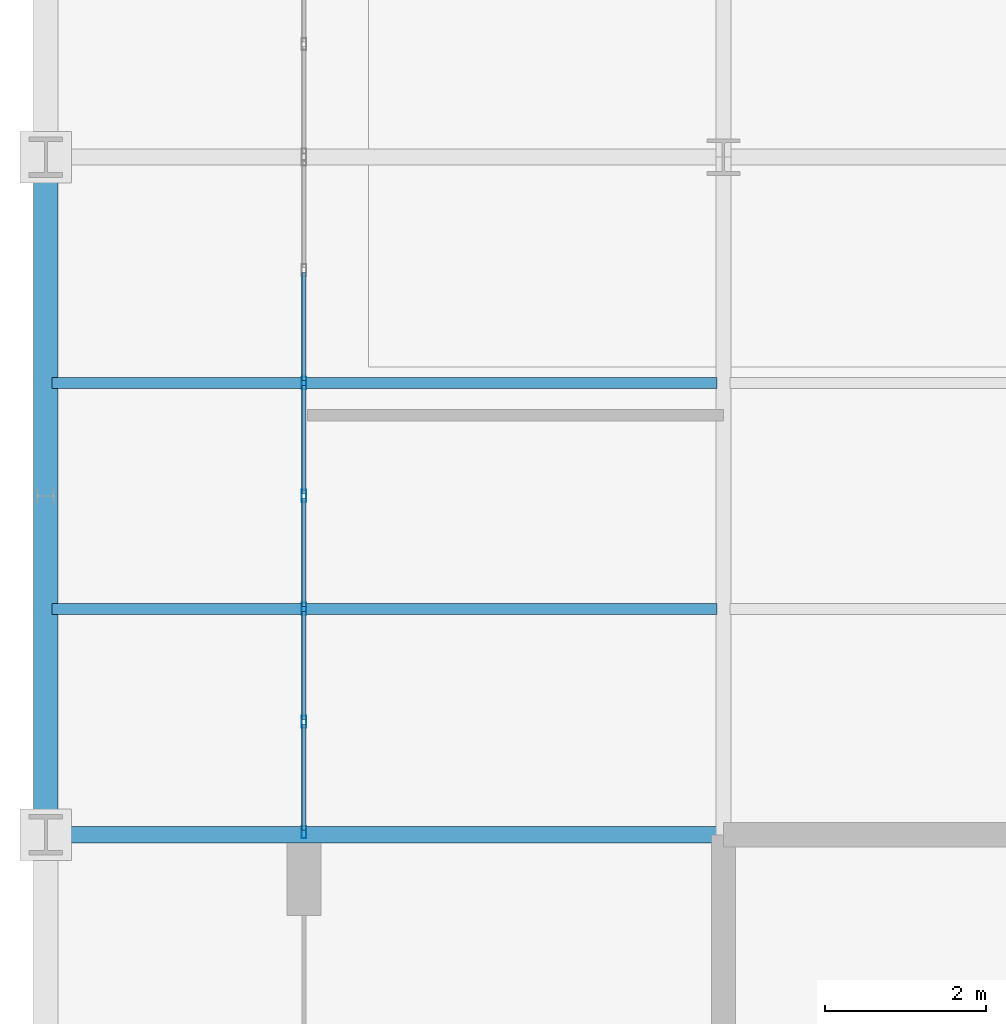
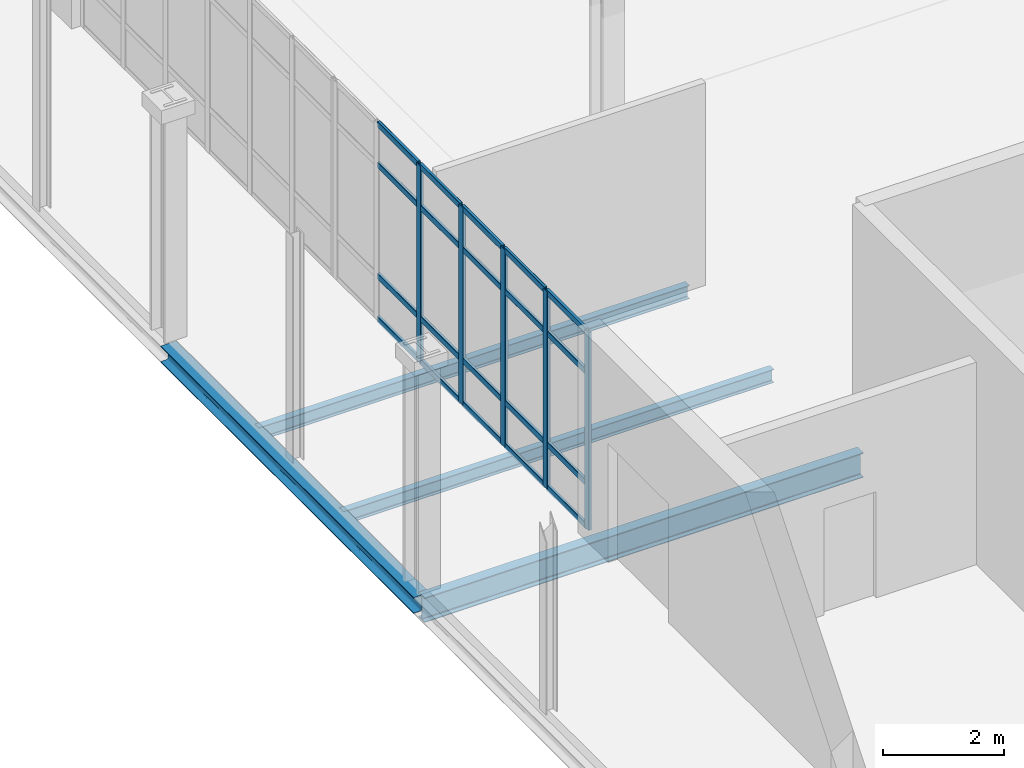
# One storey, part 25 of 145: 25 members, 4 beams, 1 element without a shape of its own.
"""IFC4 building model written with IfcOpenShell, lengths in metres."""

from ifc_helpers import new_model, si_unit, direction, frame, origin, origin_2d, place, context, subcontext, project, spatial, hollow_rectangle, i_section, extrude, material, layer, layer_set, material_profile, profile_set, type_object, element, aggregate, save


model = new_model("IFC4")

# Units and contexts
model_context = context("Model", 3, precision=1e-05, world=origin(), true_north=direction((0.0, 1.0)))
body_context = subcontext(model_context, "Body", "Model", "MODEL_VIEW")
ifc_project = project(units=[si_unit("LENGTHUNIT", "METRE"), si_unit("AREAUNIT", "SQUARE_METRE"), si_unit("VOLUMEUNIT", "CUBIC_METRE"), si_unit("PLANEANGLEUNIT", "RADIAN"), si_unit("MASSUNIT", "GRAM", prefix="KILO")], contexts=[model_context])

# Site, building, storey
site_placement = place(None, origin())
site = spatial("IfcSite", under=ifc_project, at=site_placement, CompositionType="ELEMENT")
building_placement = place(site_placement, origin())
building = spatial("IfcBuilding", under=site, at=building_placement, Name="Qalvenar Corner Mobility Hub", CompositionType="ELEMENT")
storey_placement = place(building_placement, origin())
storey = spatial("IfcBuildingStorey", under=building, at=storey_placement, Name="L00", CompositionType="ELEMENT", Elevation=0.0)

# Beams
ifc_material_1 = material(Name="Steel S355", Category="steel")
ifc_material_profile_1 = material_profile(ifc_material_1, i_section(OverallWidth=0.199951171875, OverallDepth=0.5, WebThickness=0.01025390625, FlangeThickness=0.01611328125, FilletRadius=0.02099609375, at=origin_2d()), Name="IPE500")
ifc_profile_set_1 = profile_set([ifc_material_profile_1], Name="Steel S355")
beam_type_1 = type_object("IfcBeamType", Name="BM-IPE500", PredefinedType="BEAM", material=ifc_profile_set_1)
beam_1_placement = place(storey_placement, frame((0.0, 16.800048828125, -0.469970703125), z_axis=(1.0, 0.0, 0.0), x_axis=(0.0, 1.0, 0.0)))
element("IfcBeam", 1, at=beam_1_placement, inside=storey, type_object=beam_type_1, Name="Primary Steel Girder GX-0013", PredefinedType="BEAM", context=body_context, shape_type="SweptSolid", body=[
    extrude(i_section(OverallWidth=0.199951171875, OverallDepth=0.5, WebThickness=0.01025390625, FlangeThickness=0.01611328125, FilletRadius=0.02099609375, at=origin_2d()), origin(), (0.0, 0.0, 1.0), 8.39990234375),
])
ifc_material_profile_2 = material_profile(ifc_material_1, i_section(OverallWidth=0.135009765625, OverallDepth=0.27001953125, WebThickness=0.006591796875, FlangeThickness=0.01025390625, FilletRadius=0.014892578125, at=origin_2d()), Name="IPE270")
ifc_profile_set_2 = profile_set([ifc_material_profile_2], Name="Steel S355")
beam_type_2 = type_object("IfcBeamType", Name="BM-JST270", PredefinedType="JOIST", material=ifc_profile_set_2)
for number, where, z_axis, x_axis, name in (
    (2, (0.077880859375, 19.60009765625, -0.35498046875), (1.0, 0.0, 0.0), (0.0, 1.0, 0.0), "Composite Floor Joist J-0077"),
    (3, (0.077880859375, 22.39990234375, -0.35498046875), (1.0, 0.0, 0.0), (0.0, 1.0, 0.0), "Composite Floor Joist J-0078"),
):
    element("IfcBeam", number, at=place(storey_placement, frame(where, z_axis=z_axis, x_axis=x_axis)), inside=storey, type_object=beam_type_2, Name=name, PredefinedType="JOIST", context=body_context, shape_type="SweptSolid", body=[
        extrude(i_section(OverallWidth=0.135009765625, OverallDepth=0.27001953125, WebThickness=0.006591796875, FlangeThickness=0.01025390625, FilletRadius=0.014892578125, at=origin_2d()), origin(), (0.0, 0.0, 1.0), 8.244140625),
    ])
ifc_material_profile_3 = material_profile(ifc_material_1, i_section(OverallWidth=0.300048828125, OverallDepth=0.330078125, WebThickness=0.009521484375, FlangeThickness=0.0166015625, FilletRadius=0.027099609375, at=origin_2d()), Name="HEA340")
ifc_profile_set_3 = profile_set([ifc_material_profile_3], Name="Steel S355")
beam_type_3 = type_object("IfcBeamType", Name="BM-SPN340", PredefinedType="SPANDREL", material=ifc_profile_set_3)
beam_2_placement = place(storey_placement, frame((0.0, 16.800048828125, -0.385009765625), z_axis=(0.0, 1.0, 0.0), x_axis=(-1.0, 0.0, 0.0)))
element("IfcBeam", 4, at=beam_2_placement, inside=storey, type_object=beam_type_3, Name="Primary Steel Girder GY-0039", PredefinedType="SPANDREL", context=body_context, shape_type="SweptSolid", body=[
    extrude(i_section(OverallWidth=0.300048828125, OverallDepth=0.330078125, WebThickness=0.009521484375, FlangeThickness=0.0166015625, FilletRadius=0.027099609375, at=origin_2d()), origin(), (0.0, 0.0, 1.0), 8.39990234375),
])

# Curtain wall, members
ifc_material_2 = material(Name="Anodised Aluminium and Low-E Glazing", Category="aluminium")
ifc_layer = layer(ifc_material_2, 0.14990234375)
ifc_layer_set = layer_set([ifc_layer], Name="Anodised Aluminium and Low-E Glazing")
curtain_wall_type = type_object("IfcCurtainWallType", Name="CW-CIV-84X40", PredefinedType="NOTDEFINED", material=ifc_layer_set)
curtain_wall_placement = place(storey_placement, origin())
curtain_wall = element("IfcCurtainWall", 5, at=curtain_wall_placement, inside=storey, type_object=curtain_wall_type, Name="Glazed Curtain Wall CW-V3-L00-W003", PredefinedType="NOTDEFINED")
ifc_material_3 = material(Name="Anodised Aluminium 6063-T6", Category="aluminium")
ifc_material_profile_4 = material_profile(ifc_material_3, hollow_rectangle(XDim=0.06005859375, YDim=0.14990234375, WallThickness=0.00390625, InnerFilletRadius=0.00390625, OuterFilletRadius=0.008056640625, at=origin_2d()), Name="RHS150x60x4")
ifc_profile_set_4 = profile_set([ifc_material_profile_4], Name="Anodised Aluminium 6063-T6")
member_type_1 = type_object("IfcMemberType", Name="CW-MUL150", PredefinedType="MULLION", material=ifc_profile_set_4)
member_1_placement = place(storey_placement, frame((3.199951171875, 22.39990234375, 0.0), z_axis=(0.0, 0.0, 1.0), x_axis=(1.0, 0.0, 0.0)))
member_1 = element("IfcMember", 6, at=member_1_placement, type_object=member_type_1, Name="CW-05 mullion 3", PredefinedType="MULLION", context=body_context, shape_type="SweptSolid", body=[
    extrude(hollow_rectangle(XDim=0.06005859375, YDim=0.14990234375, WallThickness=0.00390625, InnerFilletRadius=0.00390625, OuterFilletRadius=0.008056640625, at=origin_2d()), origin(), (0.0, 0.0, 1.0), 4.0),
])
member_2_placement = place(storey_placement, frame((3.199951171875, 21.0, 0.0), z_axis=(0.0, 0.0, 1.0), x_axis=(1.0, 0.0, 0.0)))
member_2 = element("IfcMember", 7, at=member_2_placement, type_object=member_type_1, Name="CW-05 mullion 4", PredefinedType="MULLION", context=body_context, shape_type="SweptSolid", body=[
    extrude(hollow_rectangle(XDim=0.06005859375, YDim=0.14990234375, WallThickness=0.00390625, InnerFilletRadius=0.00390625, OuterFilletRadius=0.008056640625, at=origin_2d()), origin(), (0.0, 0.0, 1.0), 4.0),
])
member_3_placement = place(storey_placement, frame((3.199951171875, 19.60009765625, 0.0), z_axis=(0.0, 0.0, 1.0), x_axis=(1.0, 0.0, 0.0)))
member_3 = element("IfcMember", 8, at=member_3_placement, type_object=member_type_1, Name="CW-05 mullion 5", PredefinedType="MULLION", context=body_context, shape_type="SweptSolid", body=[
    extrude(hollow_rectangle(XDim=0.06005859375, YDim=0.14990234375, WallThickness=0.00390625, InnerFilletRadius=0.00390625, OuterFilletRadius=0.008056640625, at=origin_2d()), origin(), (0.0, 0.0, 1.0), 4.0),
])
member_4_placement = place(storey_placement, frame((3.199951171875, 18.199951171875, 0.0), z_axis=(0.0, 0.0, 1.0), x_axis=(1.0, 0.0, 0.0)))
member_4 = element("IfcMember", 9, at=member_4_placement, type_object=member_type_1, Name="CW-05 mullion 6", PredefinedType="MULLION", context=body_context, shape_type="SweptSolid", body=[
    extrude(hollow_rectangle(XDim=0.06005859375, YDim=0.14990234375, WallThickness=0.00390625, InnerFilletRadius=0.00390625, OuterFilletRadius=0.008056640625, at=origin_2d()), origin(), (0.0, 0.0, 1.0), 4.0),
])
member_5_placement = place(storey_placement, frame((3.199951171875, 16.830078125, 0.0), z_axis=(0.0, 0.0, 1.0), x_axis=(1.0, 0.0, 0.0)))
member_5 = element("IfcMember", 10, at=member_5_placement, type_object=member_type_1, Name="CW-05 mullion 7", PredefinedType="MULLION", context=body_context, shape_type="SweptSolid", body=[
    extrude(hollow_rectangle(XDim=0.06005859375, YDim=0.14990234375, WallThickness=0.00390625, InnerFilletRadius=0.00390625, OuterFilletRadius=0.008056640625, at=origin_2d()), origin(), (0.0, 0.0, 1.0), 4.0),
])
ifc_material_profile_5 = material_profile(ifc_material_3, hollow_rectangle(XDim=0.054931640625, YDim=0.1201171875, WallThickness=0.00341796875, InnerFilletRadius=0.00341796875, OuterFilletRadius=0.007080078125, at=origin_2d()), Name="RHS120x55x3.5")
ifc_profile_set_5 = profile_set([ifc_material_profile_5], Name="Anodised Aluminium 6063-T6")
member_type_2 = type_object("IfcMemberType", Name="CW-TRN120", PredefinedType="USERDEFINED", material=ifc_profile_set_5)
member_6_placement = place(storey_placement, frame((3.199951171875, 23.77001953125, 0.027587890625), z_axis=(0.0, -1.0, 0.0), x_axis=(1.0, 0.0, 0.0)))
member_6 = element("IfcMember", 11, at=member_6_placement, type_object=member_type_2, Name="CW-05 transom 2.1", ObjectType="TRANSOM", PredefinedType="USERDEFINED", context=body_context, shape_type="SweptSolid", body=[
    extrude(hollow_rectangle(XDim=0.054931640625, YDim=0.1201171875, WallThickness=0.00341796875, InnerFilletRadius=0.00341796875, OuterFilletRadius=0.007080078125, at=origin_2d()), origin(), (0.0, 0.0, 1.0), 1.340087890625),
])
member_7_placement = place(storey_placement, frame((3.199951171875, 23.77001953125, 0.89990234375), z_axis=(0.0, -1.0, 0.0), x_axis=(1.0, 0.0, 0.0)))
member_7 = element("IfcMember", 12, at=member_7_placement, type_object=member_type_2, Name="CW-05 transom 2.2", ObjectType="TRANSOM", PredefinedType="USERDEFINED", context=body_context, shape_type="SweptSolid", body=[
    extrude(hollow_rectangle(XDim=0.054931640625, YDim=0.1201171875, WallThickness=0.00341796875, InnerFilletRadius=0.00341796875, OuterFilletRadius=0.007080078125, at=origin_2d()), origin(), (0.0, 0.0, 1.0), 1.340087890625),
])
member_8_placement = place(storey_placement, frame((3.199951171875, 23.77001953125, 3.14990234375), z_axis=(0.0, -1.0, 0.0), x_axis=(1.0, 0.0, 0.0)))
member_8 = element("IfcMember", 13, at=member_8_placement, type_object=member_type_2, Name="CW-05 transom 2.3", ObjectType="TRANSOM", PredefinedType="USERDEFINED", context=body_context, shape_type="SweptSolid", body=[
    extrude(hollow_rectangle(XDim=0.054931640625, YDim=0.1201171875, WallThickness=0.00341796875, InnerFilletRadius=0.00341796875, OuterFilletRadius=0.007080078125, at=origin_2d()), origin(), (0.0, 0.0, 1.0), 1.340087890625),
])
member_9_placement = place(storey_placement, frame((3.199951171875, 23.77001953125, 3.972412109375), z_axis=(0.0, -1.0, 0.0), x_axis=(1.0, 0.0, 0.0)))
member_9 = element("IfcMember", 14, at=member_9_placement, type_object=member_type_2, Name="CW-05 transom 2.4", ObjectType="TRANSOM", PredefinedType="USERDEFINED", context=body_context, shape_type="SweptSolid", body=[
    extrude(hollow_rectangle(XDim=0.054931640625, YDim=0.1201171875, WallThickness=0.00341796875, InnerFilletRadius=0.00341796875, OuterFilletRadius=0.007080078125, at=origin_2d()), origin(), (0.0, 0.0, 1.0), 1.340087890625),
])
member_10_placement = place(storey_placement, frame((3.199951171875, 22.3701171875, 0.027587890625), z_axis=(0.0, -1.0, 0.0), x_axis=(1.0, 0.0, 0.0)))
member_10 = element("IfcMember", 15, at=member_10_placement, type_object=member_type_2, Name="CW-05 transom 3.1", ObjectType="TRANSOM", PredefinedType="USERDEFINED", context=body_context, shape_type="SweptSolid", body=[
    extrude(hollow_rectangle(XDim=0.054931640625, YDim=0.1201171875, WallThickness=0.00341796875, InnerFilletRadius=0.00341796875, OuterFilletRadius=0.007080078125, at=origin_2d()), origin(), (0.0, 0.0, 1.0), 1.340087890625),
])
member_11_placement = place(storey_placement, frame((3.199951171875, 22.3701171875, 0.89990234375), z_axis=(0.0, -1.0, 0.0), x_axis=(1.0, 0.0, 0.0)))
member_11 = element("IfcMember", 16, at=member_11_placement, type_object=member_type_2, Name="CW-05 transom 3.2", ObjectType="TRANSOM", PredefinedType="USERDEFINED", context=body_context, shape_type="SweptSolid", body=[
    extrude(hollow_rectangle(XDim=0.054931640625, YDim=0.1201171875, WallThickness=0.00341796875, InnerFilletRadius=0.00341796875, OuterFilletRadius=0.007080078125, at=origin_2d()), origin(), (0.0, 0.0, 1.0), 1.340087890625),
])
member_12_placement = place(storey_placement, frame((3.199951171875, 22.3701171875, 3.14990234375), z_axis=(0.0, -1.0, 0.0), x_axis=(1.0, 0.0, 0.0)))
member_12 = element("IfcMember", 17, at=member_12_placement, type_object=member_type_2, Name="CW-05 transom 3.3", ObjectType="TRANSOM", PredefinedType="USERDEFINED", context=body_context, shape_type="SweptSolid", body=[
    extrude(hollow_rectangle(XDim=0.054931640625, YDim=0.1201171875, WallThickness=0.00341796875, InnerFilletRadius=0.00341796875, OuterFilletRadius=0.007080078125, at=origin_2d()), origin(), (0.0, 0.0, 1.0), 1.340087890625),
])
member_13_placement = place(storey_placement, frame((3.199951171875, 22.3701171875, 3.972412109375), z_axis=(0.0, -1.0, 0.0), x_axis=(1.0, 0.0, 0.0)))
member_13 = element("IfcMember", 18, at=member_13_placement, type_object=member_type_2, Name="CW-05 transom 3.4", ObjectType="TRANSOM", PredefinedType="USERDEFINED", context=body_context, shape_type="SweptSolid", body=[
    extrude(hollow_rectangle(XDim=0.054931640625, YDim=0.1201171875, WallThickness=0.00341796875, InnerFilletRadius=0.00341796875, OuterFilletRadius=0.007080078125, at=origin_2d()), origin(), (0.0, 0.0, 1.0), 1.340087890625),
])
member_14_placement = place(storey_placement, frame((3.199951171875, 20.969970703125, 0.027587890625), z_axis=(0.0, -1.0, 0.0), x_axis=(1.0, 0.0, 0.0)))
member_14 = element("IfcMember", 19, at=member_14_placement, type_object=member_type_2, Name="CW-05 transom 4.1", ObjectType="TRANSOM", PredefinedType="USERDEFINED", context=body_context, shape_type="SweptSolid", body=[
    extrude(hollow_rectangle(XDim=0.054931640625, YDim=0.1201171875, WallThickness=0.00341796875, InnerFilletRadius=0.00341796875, OuterFilletRadius=0.007080078125, at=origin_2d()), origin(), (0.0, 0.0, 1.0), 1.340087890625),
])
member_15_placement = place(storey_placement, frame((3.199951171875, 20.969970703125, 0.89990234375), z_axis=(0.0, -1.0, 0.0), x_axis=(1.0, 0.0, 0.0)))
member_15 = element("IfcMember", 20, at=member_15_placement, type_object=member_type_2, Name="CW-05 transom 4.2", ObjectType="TRANSOM", PredefinedType="USERDEFINED", context=body_context, shape_type="SweptSolid", body=[
    extrude(hollow_rectangle(XDim=0.054931640625, YDim=0.1201171875, WallThickness=0.00341796875, InnerFilletRadius=0.00341796875, OuterFilletRadius=0.007080078125, at=origin_2d()), origin(), (0.0, 0.0, 1.0), 1.340087890625),
])
member_16_placement = place(storey_placement, frame((3.199951171875, 20.969970703125, 3.14990234375), z_axis=(0.0, -1.0, 0.0), x_axis=(1.0, 0.0, 0.0)))
member_16 = element("IfcMember", 21, at=member_16_placement, type_object=member_type_2, Name="CW-05 transom 4.3", ObjectType="TRANSOM", PredefinedType="USERDEFINED", context=body_context, shape_type="SweptSolid", body=[
    extrude(hollow_rectangle(XDim=0.054931640625, YDim=0.1201171875, WallThickness=0.00341796875, InnerFilletRadius=0.00341796875, OuterFilletRadius=0.007080078125, at=origin_2d()), origin(), (0.0, 0.0, 1.0), 1.340087890625),
])
member_17_placement = place(storey_placement, frame((3.199951171875, 20.969970703125, 3.972412109375), z_axis=(0.0, -1.0, 0.0), x_axis=(1.0, 0.0, 0.0)))
member_17 = element("IfcMember", 22, at=member_17_placement, type_object=member_type_2, Name="CW-05 transom 4.4", ObjectType="TRANSOM", PredefinedType="USERDEFINED", context=body_context, shape_type="SweptSolid", body=[
    extrude(hollow_rectangle(XDim=0.054931640625, YDim=0.1201171875, WallThickness=0.00341796875, InnerFilletRadius=0.00341796875, OuterFilletRadius=0.007080078125, at=origin_2d()), origin(), (0.0, 0.0, 1.0), 1.340087890625),
])
member_18_placement = place(storey_placement, frame((3.199951171875, 19.570068359375, 0.027587890625), z_axis=(0.0, -1.0, 0.0), x_axis=(1.0, 0.0, 0.0)))
member_18 = element("IfcMember", 23, at=member_18_placement, type_object=member_type_2, Name="CW-05 transom 5.1", ObjectType="TRANSOM", PredefinedType="USERDEFINED", context=body_context, shape_type="SweptSolid", body=[
    extrude(hollow_rectangle(XDim=0.054931640625, YDim=0.1201171875, WallThickness=0.00341796875, InnerFilletRadius=0.00341796875, OuterFilletRadius=0.007080078125, at=origin_2d()), origin(), (0.0, 0.0, 1.0), 1.340087890625),
])
member_19_placement = place(storey_placement, frame((3.199951171875, 19.570068359375, 0.89990234375), z_axis=(0.0, -1.0, 0.0), x_axis=(1.0, 0.0, 0.0)))
member_19 = element("IfcMember", 24, at=member_19_placement, type_object=member_type_2, Name="CW-05 transom 5.2", ObjectType="TRANSOM", PredefinedType="USERDEFINED", context=body_context, shape_type="SweptSolid", body=[
    extrude(hollow_rectangle(XDim=0.054931640625, YDim=0.1201171875, WallThickness=0.00341796875, InnerFilletRadius=0.00341796875, OuterFilletRadius=0.007080078125, at=origin_2d()), origin(), (0.0, 0.0, 1.0), 1.340087890625),
])
member_20_placement = place(storey_placement, frame((3.199951171875, 19.570068359375, 3.14990234375), z_axis=(0.0, -1.0, 0.0), x_axis=(1.0, 0.0, 0.0)))
member_20 = element("IfcMember", 25, at=member_20_placement, type_object=member_type_2, Name="CW-05 transom 5.3", ObjectType="TRANSOM", PredefinedType="USERDEFINED", context=body_context, shape_type="SweptSolid", body=[
    extrude(hollow_rectangle(XDim=0.054931640625, YDim=0.1201171875, WallThickness=0.00341796875, InnerFilletRadius=0.00341796875, OuterFilletRadius=0.007080078125, at=origin_2d()), origin(), (0.0, 0.0, 1.0), 1.340087890625),
])
member_21_placement = place(storey_placement, frame((3.199951171875, 19.570068359375, 3.972412109375), z_axis=(0.0, -1.0, 0.0), x_axis=(1.0, 0.0, 0.0)))
member_21 = element("IfcMember", 26, at=member_21_placement, type_object=member_type_2, Name="CW-05 transom 5.4", ObjectType="TRANSOM", PredefinedType="USERDEFINED", context=body_context, shape_type="SweptSolid", body=[
    extrude(hollow_rectangle(XDim=0.054931640625, YDim=0.1201171875, WallThickness=0.00341796875, InnerFilletRadius=0.00341796875, OuterFilletRadius=0.007080078125, at=origin_2d()), origin(), (0.0, 0.0, 1.0), 1.340087890625),
])
member_22_placement = place(storey_placement, frame((3.199951171875, 18.169921875, 0.027587890625), z_axis=(0.0, -1.0, 0.0), x_axis=(1.0, 0.0, 0.0)))
member_22 = element("IfcMember", 27, at=member_22_placement, type_object=member_type_2, Name="CW-05 transom 6.1", ObjectType="TRANSOM", PredefinedType="USERDEFINED", context=body_context, shape_type="SweptSolid", body=[
    extrude(hollow_rectangle(XDim=0.054931640625, YDim=0.1201171875, WallThickness=0.00341796875, InnerFilletRadius=0.00341796875, OuterFilletRadius=0.007080078125, at=origin_2d()), origin(), (0.0, 0.0, 1.0), 1.309814453125),
])
member_23_placement = place(storey_placement, frame((3.199951171875, 18.169921875, 0.89990234375), z_axis=(0.0, -1.0, 0.0), x_axis=(1.0, 0.0, 0.0)))
member_23 = element("IfcMember", 28, at=member_23_placement, type_object=member_type_2, Name="CW-05 transom 6.2", ObjectType="TRANSOM", PredefinedType="USERDEFINED", context=body_context, shape_type="SweptSolid", body=[
    extrude(hollow_rectangle(XDim=0.054931640625, YDim=0.1201171875, WallThickness=0.00341796875, InnerFilletRadius=0.00341796875, OuterFilletRadius=0.007080078125, at=origin_2d()), origin(), (0.0, 0.0, 1.0), 1.309814453125),
])
member_24_placement = place(storey_placement, frame((3.199951171875, 18.169921875, 3.14990234375), z_axis=(0.0, -1.0, 0.0), x_axis=(1.0, 0.0, 0.0)))
member_24 = element("IfcMember", 29, at=member_24_placement, type_object=member_type_2, Name="CW-05 transom 6.3", ObjectType="TRANSOM", PredefinedType="USERDEFINED", context=body_context, shape_type="SweptSolid", body=[
    extrude(hollow_rectangle(XDim=0.054931640625, YDim=0.1201171875, WallThickness=0.00341796875, InnerFilletRadius=0.00341796875, OuterFilletRadius=0.007080078125, at=origin_2d()), origin(), (0.0, 0.0, 1.0), 1.309814453125),
])
member_25_placement = place(storey_placement, frame((3.199951171875, 18.169921875, 3.972412109375), z_axis=(0.0, -1.0, 0.0), x_axis=(1.0, 0.0, 0.0)))
member_25 = element("IfcMember", 30, at=member_25_placement, type_object=member_type_2, Name="CW-05 transom 6.4", ObjectType="TRANSOM", PredefinedType="USERDEFINED", context=body_context, shape_type="SweptSolid", body=[
    extrude(hollow_rectangle(XDim=0.054931640625, YDim=0.1201171875, WallThickness=0.00341796875, InnerFilletRadius=0.00341796875, OuterFilletRadius=0.007080078125, at=origin_2d()), origin(), (0.0, 0.0, 1.0), 1.309814453125),
])
aggregate(curtain_wall, [member_1, member_2, member_3, member_4, member_5, member_6, member_7, member_8, member_9, member_10, member_11, member_12, member_13, member_14, member_15, member_16, member_17, member_18, member_19, member_20, member_21, member_22, member_23, member_24, member_25])

save(model, "model.ifc")
